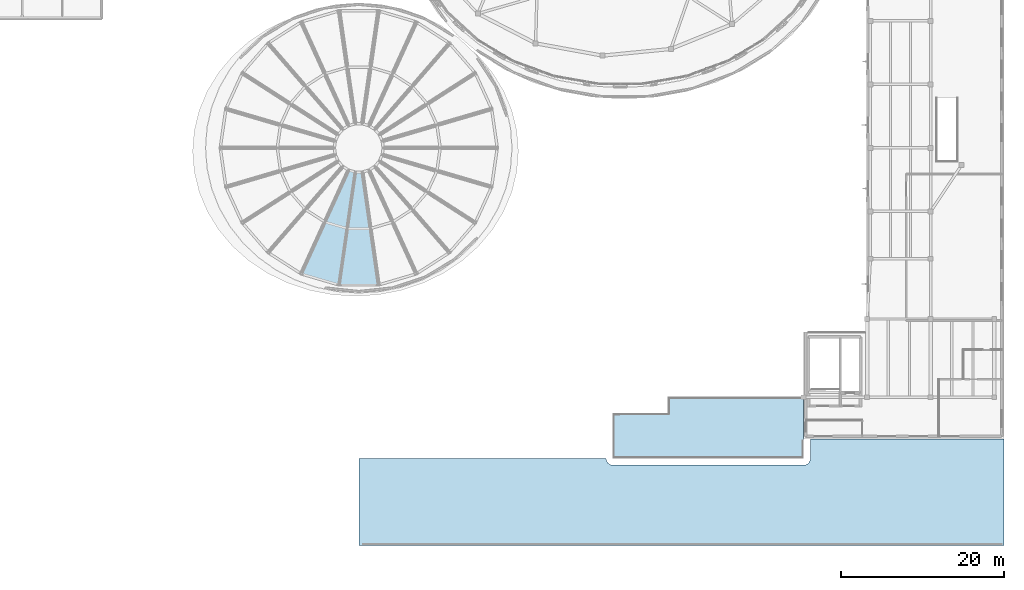
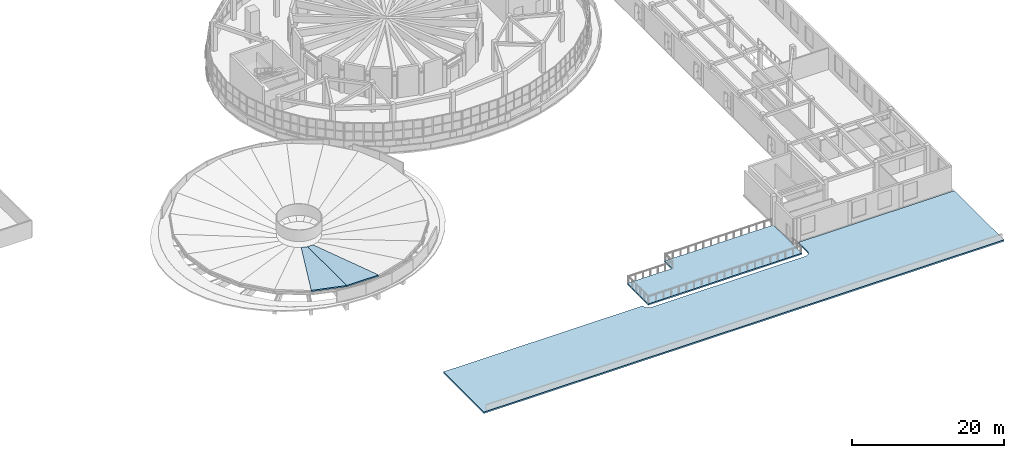
# One storey, part 38 of 69: 4 slabs.
"""IFC4 building model written with IfcOpenShell, lengths in metres."""

from ifc_helpers import new_model, si_unit, direction, frame, origin, place, context, subcontext, project, spatial, polyline, outline, extrude, material, layer, layer_set, type_object, element, save


model = new_model("IFC4")

# Units and contexts
model_context = context("Model", 3, precision=1e-05, world=origin(), true_north=direction((0.0, 1.0)))
body_context = subcontext(model_context, "Body", "Model", "MODEL_VIEW")
ifc_project = project(units=[si_unit("LENGTHUNIT", "METRE"), si_unit("AREAUNIT", "SQUARE_METRE"), si_unit("VOLUMEUNIT", "CUBIC_METRE"), si_unit("PLANEANGLEUNIT", "RADIAN"), si_unit("MASSUNIT", "GRAM", prefix="KILO")], contexts=[model_context])

# Site, building, storey
site_placement = place(None, origin())
site = spatial("IfcSite", under=ifc_project, at=site_placement, CompositionType="ELEMENT")
building_placement = place(site_placement, origin())
building = spatial("IfcBuilding", under=site, at=building_placement, Name="Pelvatis Terrace Science Centre", CompositionType="ELEMENT")
storey_placement = place(building_placement, frame((0.0, 0.0, 15.0)))
storey = spatial("IfcBuildingStorey", under=building, at=storey_placement, Name="L03", CompositionType="ELEMENT", Elevation=15.0)

# Slabs
ifc_material_1 = material(Name="Concrete C35/45", Category="concrete")
ifc_layer_1 = layer(ifc_material_1, 0.18505859375)
ifc_layer_set_1 = layer_set([ifc_layer_1], Name="Concrete C35/45")
slab_type_1 = type_object("IfcSlabType", Name="SLB-BOWL-185", PredefinedType="ROOF", material=ifc_layer_set_1)
slab_1_placement = place(storey_placement, frame((70.93798828125, 39.13623046875, 1.85009765625), z_axis=(0.05672097146, 0.19316560398, 0.979525283408), x_axis=(0.95948762456, -0.281750773405, 1.519253e-06)))
element("IfcSlab", 1, at=slab_1_placement, inside=storey, type_object=slab_type_1, Name="Shallow closed bowl roof sector 16", PredefinedType="ROOF", context=body_context, shape_type="SweptSolid", body=[
    extrude(outline(polyline([(0.0, 0.0), (4.838601803545499, 0.0), (2.845902860966912, 14.147288412916831), (1.9922394107222825, 14.147245456715472), (0.0, 0.0)])), origin(), (0.0, 0.0, -1.0), 0.18505859375),
])
slab_2_placement = place(storey_placement, frame((75.58056640625, 37.77294921875, 1.85009765625), z_axis=(0.0, 0.201320342728, 0.979525456333), x_axis=(1.0, 0.0, 0.0)))
element("IfcSlab", 2, at=slab_2_placement, inside=storey, type_object=slab_type_1, Name="Shallow closed bowl roof sector 17", PredefinedType="ROOF", context=body_context, shape_type="SweptSolid", body=[
    extrude(outline(polyline([(0.0, 0.0), (4.8388671875, 0.0), (2.846435546875, 14.147326060832038), (1.992431640625, 14.147326060832038), (0.0, 0.0)])), origin(), (0.0, 0.0, -1.0), 0.18505859375),
])
ifc_material_2 = material(Name="Concrete C35/45", Category="concrete")
ifc_layer_2 = layer(ifc_material_2, 0.236083984375)
ifc_layer_set_2 = layer_set([ifc_layer_2], Name="Concrete C35/45")
slab_type_2 = type_object("IfcSlabType", Name="SLB-ROOF-236", PredefinedType="ROOF", material=ifc_layer_set_2)
slab_3_placement = place(storey_placement, frame((0.0, 0.0, -0.236083984375)))
element("IfcSlab", 3, at=slab_3_placement, inside=storey, type_object=slab_type_2, Name="L03 South studio wing stepped roof slab", PredefinedType="ROOF", context=body_context, shape_type="SweptSolid", body=[
    extrude(outline(polyline([(78.0, 16.5), (108.35009765625, 16.5), (108.414794921875, 16.1748046875), (108.59912109375, 15.89892578125), (108.874755859375, 15.714599609375), (109.199951171875, 15.64990234375), (132.60009765625, 15.64990234375), (132.8466796875, 15.6865234375), (133.072265625, 15.793212890625), (133.257080078125, 15.960693359375), (133.413330078125, 16.25341796875), (133.449951171875, 16.5), (133.449951171875, 18.8798828125), (157.199951171875, 18.8798828125), (157.199951171875, 5.800048828125), (78.0, 5.800048828125), (78.0, 16.5)])), origin(), (0.0, 0.0, 1.0), 0.236083984375),
])
ifc_material_3 = material(Name="Concrete C35/45", Category="concrete")
ifc_layer_3 = layer(ifc_material_3, 0.219970703125)
ifc_layer_set_3 = layer_set([ifc_layer_3], Name="Concrete C35/45")
slab_type_3 = type_object("IfcSlabType", Name="SLB-TER-220", PredefinedType="FLOOR", material=ifc_layer_set_3)
slab_4_placement = place(storey_placement, frame((0.0, 0.0, -0.219970703125)))
element("IfcSlab", 4, at=slab_4_placement, inside=storey, type_object=slab_type_3, Name="L03 South spiral viewing terrace slab", PredefinedType="FLOOR", context=body_context, shape_type="SweptSolid", body=[
    extrude(outline(polyline([(109.199951171875, 22.0), (116.0, 22.0), (116.0, 24.0), (132.580078125, 24.0), (132.60009765625, 16.5), (109.199951171875, 16.5), (109.199951171875, 22.0)])), origin(), (0.0, 0.0, 1.0), 0.219970703125),
])

save(model, "model.ifc")
